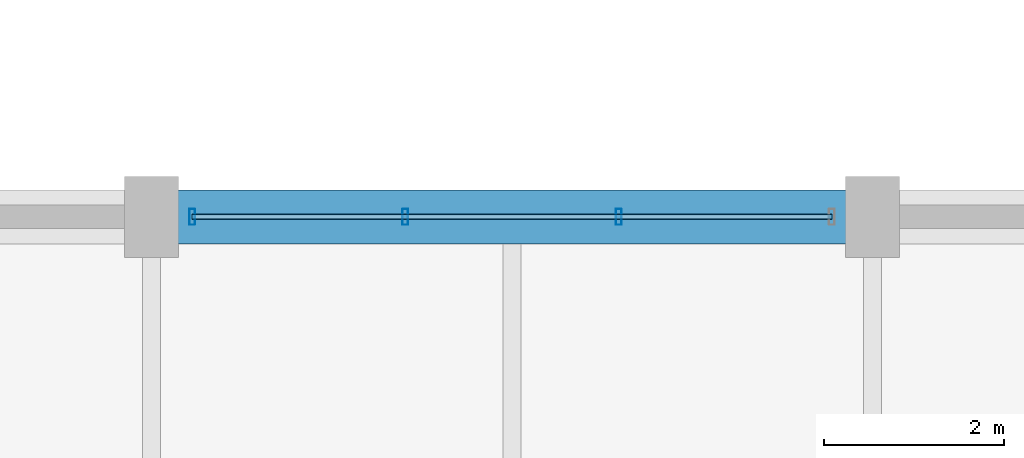
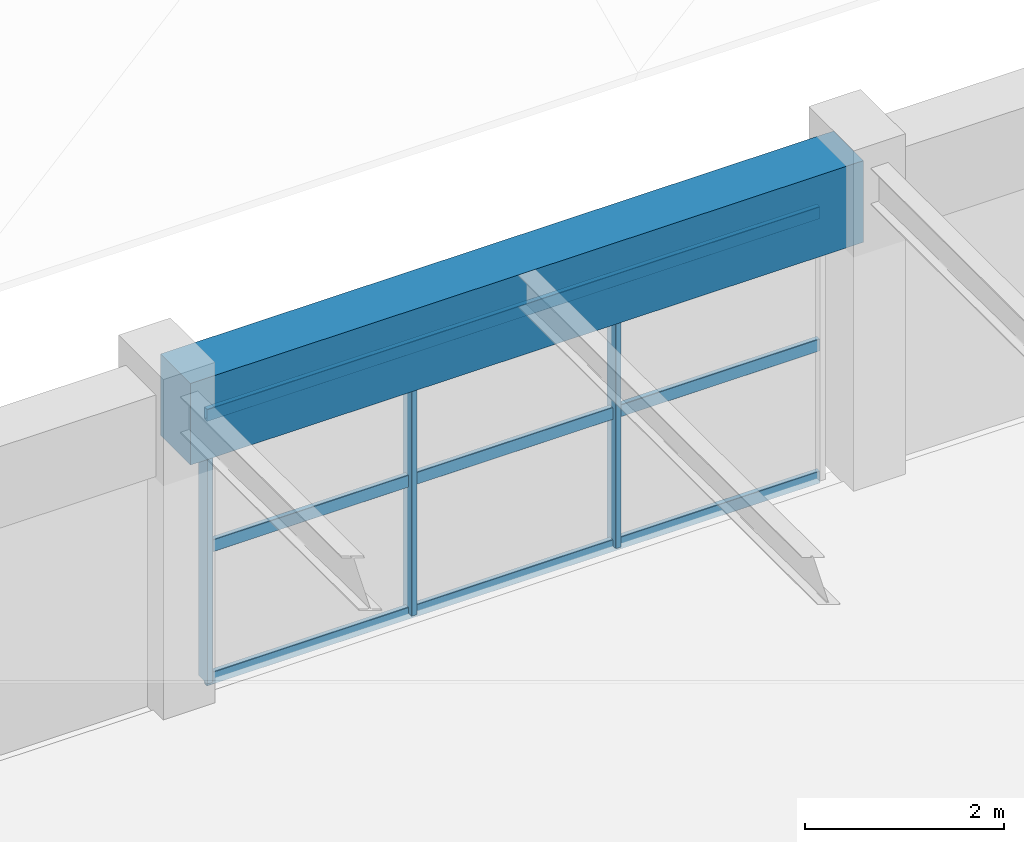
# One storey, part 12 of 126: 6 members, 1 beam, 1 element without a shape of its own.
"""IFC4 building model written with IfcOpenShell, lengths in metres."""

from ifc_helpers import new_model, si_unit, direction, frame, origin, origin_2d, place, context, subcontext, project, spatial, rectangle, hollow_rectangle, extrude, material, material_profile, profile_set, type_object, element, aggregate, save


model = new_model("IFC4")

# Units and contexts
model_context = context("Model", 3, precision=1e-05, world=origin(), true_north=direction((0.0, 1.0)))
body_context = subcontext(model_context, "Body", "Model", "MODEL_VIEW")
ifc_project = project(units=[si_unit("LENGTHUNIT", "METRE"), si_unit("AREAUNIT", "SQUARE_METRE"), si_unit("VOLUMEUNIT", "CUBIC_METRE"), si_unit("PLANEANGLEUNIT", "RADIAN"), si_unit("MASSUNIT", "GRAM", prefix="KILO")], contexts=[model_context])

# Site, building, storey
site_placement = place(None, origin())
site = spatial("IfcSite", under=ifc_project, at=site_placement, CompositionType="ELEMENT")
building_placement = place(site_placement, origin())
building = spatial("IfcBuilding", under=site, at=building_placement, Name="Varnabhumi Central Station", CompositionType="ELEMENT")
storey_placement = place(building_placement, frame((0.0, 0.0, 16.199951171875)))
storey = spatial("IfcBuildingStorey", under=building, at=storey_placement, Name="L03", CompositionType="ELEMENT", Elevation=16.199951171875)

# Beam
ifc_material_1 = material(Name="Concrete M50", Category="concrete")
ifc_material_profile_1 = material_profile(ifc_material_1, rectangle(XDim=0.60009765625, YDim=1.0, at=origin_2d()), Name="Concrete M50", Category="concrete")
ifc_profile_set_1 = profile_set([ifc_material_profile_1], Name="Concrete M50")
beam_type = type_object("IfcBeamType", Name="BM-RC-600x1000", PredefinedType="BEAM", material=ifc_profile_set_1)
beam_placement = place(storey_placement, frame((80.10009765625, 36.0, 3.420166015625), z_axis=(1.0, 0.0, 0.0), x_axis=(0.0, 1.0, 0.0)))
element("IfcBeam", 1, at=beam_placement, inside=storey, type_object=beam_type, Name="Beam L03-E:11-12", PredefinedType="BEAM", context=body_context, shape_type="SweptSolid", body=[
    extrude(rectangle(XDim=0.60009765625, YDim=1.0, at=origin_2d()), origin(), (0.0, 0.0, 1.0), 7.7998046875),
])

# Curtain wall, members
ifc_material_2 = material(Name="Anodised aluminium 6063-T6", Category="aluminium")
curtain_wall_type = type_object("IfcCurtainWallType", Name="CW-SPINE-SCREEN-L0", PredefinedType="NOTDEFINED", material=ifc_material_2)
curtain_wall_placement = place(storey_placement, origin())
curtain_wall = element("IfcCurtainWall", 2, at=curtain_wall_placement, inside=storey, type_object=curtain_wall_type, Name="Curtain Wall CW-SS306", PredefinedType="NOTDEFINED")
ifc_material_profile_2 = material_profile(ifc_material_2, hollow_rectangle(XDim=0.06494140625, YDim=0.179931640625, WallThickness=0.00390625, InnerFilletRadius=0.001953125, OuterFilletRadius=0.006103515625, at=origin_2d()), Name="Anodised aluminium 6063-T6", Category="aluminium")
ifc_profile_set_2 = profile_set([ifc_material_profile_2], Name="Anodised aluminium 6063-T6")
member_type_1 = type_object("IfcMemberType", Name="CW-MUL-180", PredefinedType="MULLION", material=ifc_profile_set_2)
member_1_placement = place(storey_placement, frame((80.449951171875, 36.0, 0.0), z_axis=(0.0, 0.0, 1.0), x_axis=(1.0, 0.0, 0.0)))
member_1 = element("IfcMember", 3, at=member_1_placement, type_object=member_type_1, Name="Curtain Wall Mullion CW-SS306-M1", PredefinedType="MULLION", context=body_context, shape_type="SweptSolid", body=[
    extrude(hollow_rectangle(XDim=0.06494140625, YDim=0.179931640625, WallThickness=0.00390625, InnerFilletRadius=0.001953125, OuterFilletRadius=0.006103515625, at=origin_2d()), origin(), (0.0, 0.0, 1.0), 3.239990234375),
])
member_2_placement = place(storey_placement, frame((82.816650390625, 36.0, 0.0), z_axis=(0.0, 0.0, 1.0), x_axis=(1.0, 0.0, 0.0)))
member_2 = element("IfcMember", 4, at=member_2_placement, type_object=member_type_1, Name="Curtain Wall Mullion CW-SS306-M2", PredefinedType="MULLION", context=body_context, shape_type="SweptSolid", body=[
    extrude(hollow_rectangle(XDim=0.06494140625, YDim=0.179931640625, WallThickness=0.00390625, InnerFilletRadius=0.001953125, OuterFilletRadius=0.006103515625, at=origin_2d()), origin(), (0.0, 0.0, 1.0), 3.239990234375),
])
member_3_placement = place(storey_placement, frame((85.183349609375, 36.0, 0.0), z_axis=(0.0, 0.0, 1.0), x_axis=(1.0, 0.0, 0.0)))
member_3 = element("IfcMember", 5, at=member_3_placement, type_object=member_type_1, Name="Curtain Wall Mullion CW-SS306-M3", PredefinedType="MULLION", context=body_context, shape_type="SweptSolid", body=[
    extrude(hollow_rectangle(XDim=0.06494140625, YDim=0.179931640625, WallThickness=0.00390625, InnerFilletRadius=0.001953125, OuterFilletRadius=0.006103515625, at=origin_2d()), origin(), (0.0, 0.0, 1.0), 3.239990234375),
])
ifc_material_profile_3 = material_profile(ifc_material_2, hollow_rectangle(XDim=0.06005859375, YDim=0.14990234375, WallThickness=0.00390625, InnerFilletRadius=0.001953125, OuterFilletRadius=0.006103515625, at=origin_2d()), Name="Anodised aluminium 6063-T6", Category="aluminium")
ifc_profile_set_3 = profile_set([ifc_material_profile_3], Name="Anodised aluminium 6063-T6")
member_type_2 = type_object("IfcMemberType", Name="CW-TR-150", PredefinedType="USERDEFINED", material=ifc_profile_set_3)
member_4_placement = place(storey_placement, frame((80.449951171875, 36.0, 0.0), z_axis=(1.0, 0.0, 0.0), x_axis=(0.0, 1.0, 0.0)))
member_4 = element("IfcMember", 6, at=member_4_placement, type_object=member_type_2, Name="Curtain Wall Transom CW-SS306-T1", ObjectType="TRANSOM", PredefinedType="USERDEFINED", context=body_context, shape_type="SweptSolid", body=[
    extrude(hollow_rectangle(XDim=0.06005859375, YDim=0.14990234375, WallThickness=0.00390625, InnerFilletRadius=0.001953125, OuterFilletRadius=0.006103515625, at=origin_2d()), origin(), (0.0, 0.0, 1.0), 7.10009765625),
])
member_5_placement = place(storey_placement, frame((80.449951171875, 36.0, 1.6201171875), z_axis=(1.0, 0.0, 0.0), x_axis=(0.0, 1.0, 0.0)))
member_5 = element("IfcMember", 7, at=member_5_placement, type_object=member_type_2, Name="Curtain Wall Transom CW-SS306-T2", ObjectType="TRANSOM", PredefinedType="USERDEFINED", context=body_context, shape_type="SweptSolid", body=[
    extrude(hollow_rectangle(XDim=0.06005859375, YDim=0.14990234375, WallThickness=0.00390625, InnerFilletRadius=0.001953125, OuterFilletRadius=0.006103515625, at=origin_2d()), origin(), (0.0, 0.0, 1.0), 7.10009765625),
])
member_6_placement = place(storey_placement, frame((80.449951171875, 36.0, 3.239990234375), z_axis=(1.0, 0.0, 0.0), x_axis=(0.0, 1.0, 0.0)))
member_6 = element("IfcMember", 8, at=member_6_placement, type_object=member_type_2, Name="Curtain Wall Transom CW-SS306-T3", ObjectType="TRANSOM", PredefinedType="USERDEFINED", context=body_context, shape_type="SweptSolid", body=[
    extrude(hollow_rectangle(XDim=0.06005859375, YDim=0.14990234375, WallThickness=0.00390625, InnerFilletRadius=0.001953125, OuterFilletRadius=0.006103515625, at=origin_2d()), origin(), (0.0, 0.0, 1.0), 7.10009765625),
])
aggregate(curtain_wall, [member_1, member_2, member_3, member_4, member_5, member_6])

save(model, "model.ifc")
